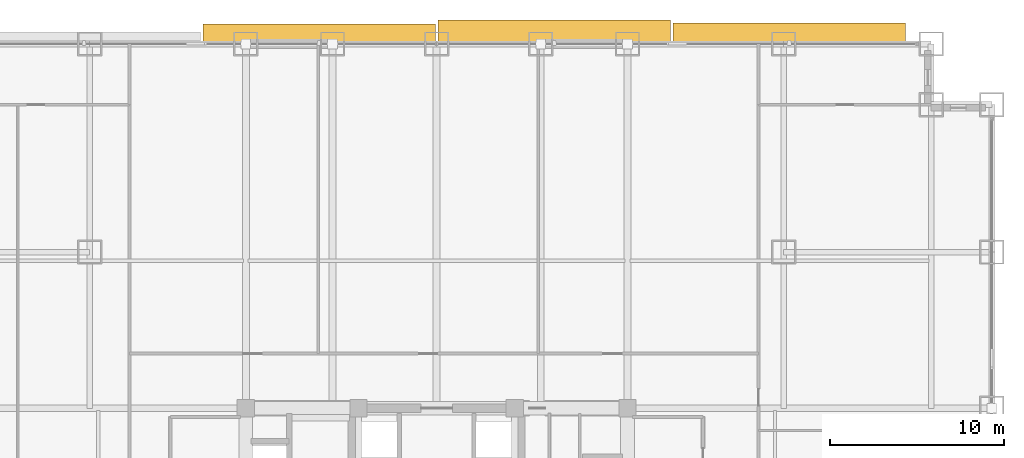
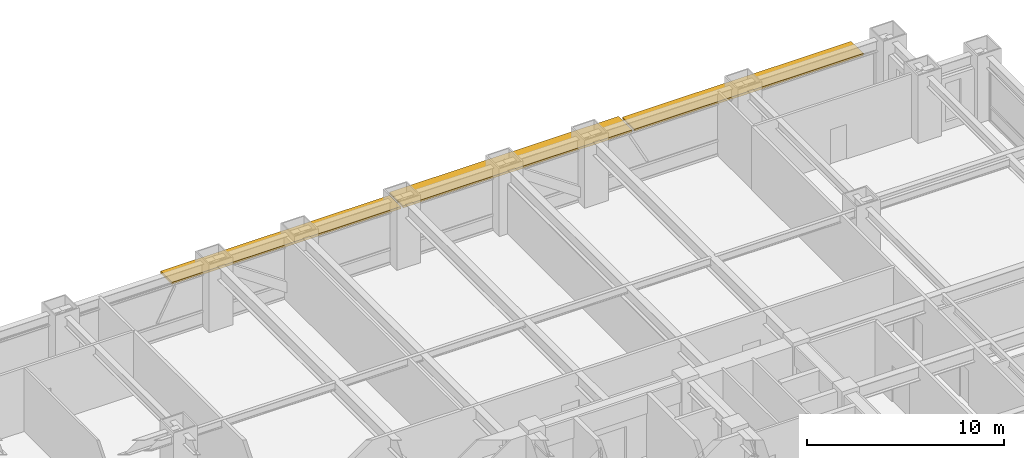
# One storey, part 32 of 32: 3 shading devices.
"""IFC4 building model written with IfcOpenShell, lengths in metres."""

from ifc_helpers import new_model, si_unit, direction, frame, origin, origin_2d, place, context, subcontext, project, spatial, rectangle, extrude, source, transform, mapped, material, layer, layer_set, type_object, element, save


model = new_model("IFC4")

# Units and contexts
model_context = context("Model", 3, precision=1e-05, world=origin(), true_north=direction((0.0, 1.0)))
body_context = subcontext(model_context, "Body", "Model", "MODEL_VIEW")
ifc_project = project(units=[si_unit("LENGTHUNIT", "METRE"), si_unit("AREAUNIT", "SQUARE_METRE"), si_unit("VOLUMEUNIT", "CUBIC_METRE"), si_unit("PLANEANGLEUNIT", "RADIAN"), si_unit("MASSUNIT", "GRAM", prefix="KILO")], contexts=[model_context])

# Site, building, storey
site_placement = place(None, origin())
site = spatial("IfcSite", under=ifc_project, at=site_placement, CompositionType="ELEMENT")
building_placement = place(site_placement, origin())
building = spatial("IfcBuilding", under=site, at=building_placement, Name="Khorayat Bourse Tower", CompositionType="ELEMENT")
storey_placement = place(building_placement, frame((0.0, 0.0, 78.800048828125)))
storey = spatial("IfcBuildingStorey", under=building, at=storey_placement, Name="L17", CompositionType="ELEMENT", Elevation=78.800048828125)

# Shading devices
ifc_material = material(Name="Precast concrete C45/55", Category="concrete")
ifc_layer = layer(ifc_material, 0.139892578125)
ifc_layer_set = layer_set([ifc_layer], Name="Precast concrete C45/55")
shading_device_type = type_object("IfcShadingDeviceType", Name="SHD-WAVE-TRAY-B", PredefinedType="USERDEFINED", material=ifc_layer_set)
shared_shape_1 = source(origin(), body_context, "Body", "SweptSolid", [
    extrude(rectangle(XDim=13.409912109375, YDim=1.153076171875, at=origin_2d()), origin(), (0.0, 0.0, 1.0), 0.139892578125),
])
shading_device_1_placement = place(storey_placement, frame((-6.77490234375, 32.556396484375, 3.18994140625), z_axis=(0.0, 0.0, 1.0), x_axis=(1.0, 0.0, 0.0)))
element("IfcShadingDevice", 1, at=shading_device_1_placement, inside=storey, type_object=shading_device_type, Name="L17 Sinusoidal Wave Sunshade Tray N-2", ObjectType="SUNSHADE", PredefinedType="USERDEFINED", context=body_context, shape_type="MappedRepresentation", body=[
    mapped(shared_shape_1, transform((0.0, 0.0, 0.0), scale=1.0)),
])
shared_shape_2 = source(origin(), body_context, "Body", "SweptSolid", [
    extrude(rectangle(XDim=13.409912109375, YDim=1.397216796875, at=origin_2d()), origin(), (0.0, 0.0, 1.0), 0.139892578125),
])
shading_device_2_placement = place(storey_placement, frame((6.77490234375, 32.6787109375, 3.18994140625), z_axis=(0.0, 0.0, 1.0), x_axis=(1.0, 0.0, 0.0)))
element("IfcShadingDevice", 2, at=shading_device_2_placement, inside=storey, type_object=shading_device_type, Name="L17 Sinusoidal Wave Sunshade Tray N-3", ObjectType="SUNSHADE", PredefinedType="USERDEFINED", context=body_context, shape_type="MappedRepresentation", body=[
    mapped(shared_shape_2, transform((0.0, 0.0, 0.0), scale=1.0)),
])
shared_shape_3 = source(origin(), body_context, "Body", "SweptSolid", [
    extrude(rectangle(XDim=13.409912109375, YDim=1.237060546875, at=origin_2d()), origin(), (0.0, 0.0, 1.0), 0.139892578125),
])
shading_device_3_placement = place(storey_placement, frame((20.324951171875, 32.598388671875, 3.18994140625), z_axis=(0.0, 0.0, 1.0), x_axis=(1.0, 0.0, 0.0)))
element("IfcShadingDevice", 3, at=shading_device_3_placement, inside=storey, type_object=shading_device_type, Name="L17 Sinusoidal Wave Sunshade Tray N-4", ObjectType="SUNSHADE", PredefinedType="USERDEFINED", context=body_context, shape_type="MappedRepresentation", body=[
    mapped(shared_shape_3, transform((0.0, 0.0, 0.0), scale=1.0)),
])

save(model, "model.ifc")
